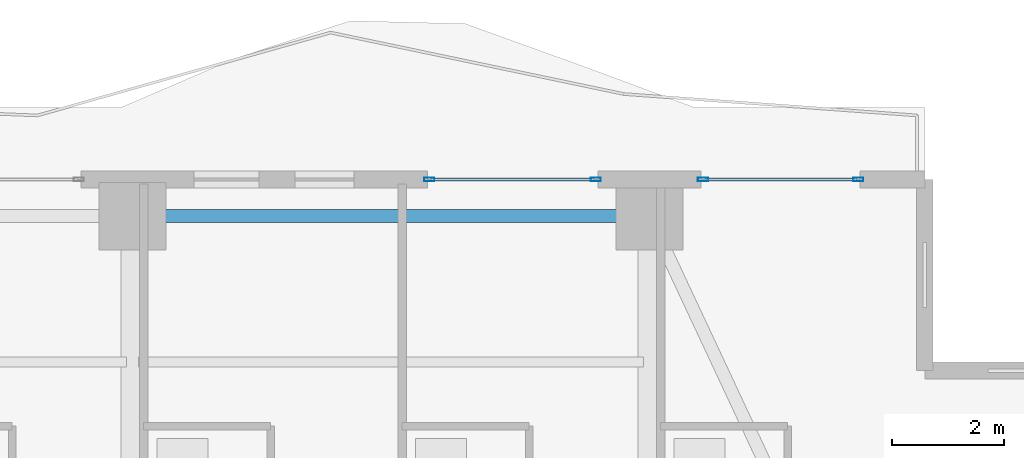
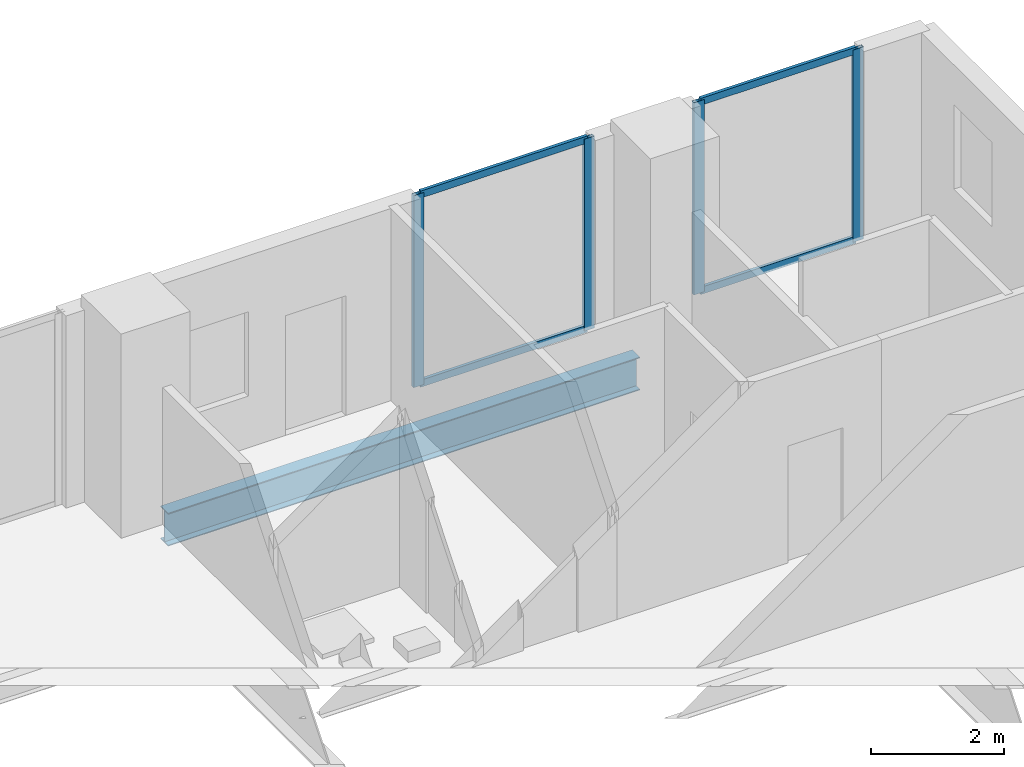
# One storey, part 22 of 33: 8 members, 1 beam, 2 elements without a shape of their own.
"""IFC4 building model written with IfcOpenShell, lengths in metres."""

from ifc_helpers import new_model, si_unit, direction, frame, origin, origin_2d, place, context, subcontext, project, spatial, hollow_rectangle, i_section, extrude, material, layer, layer_set, material_profile, profile_set, type_object, element, aggregate, save


model = new_model("IFC4")

# Units and contexts
model_context = context("Model", 3, precision=1e-05, world=origin(), true_north=direction((0.0, 1.0)))
body_context = subcontext(model_context, "Body", "Model", "MODEL_VIEW")
ifc_project = project(units=[si_unit("LENGTHUNIT", "METRE"), si_unit("AREAUNIT", "SQUARE_METRE"), si_unit("VOLUMEUNIT", "CUBIC_METRE"), si_unit("PLANEANGLEUNIT", "RADIAN"), si_unit("MASSUNIT", "GRAM", prefix="KILO")], contexts=[model_context])

# Site, building, storey
site_placement = place(None, origin())
site = spatial("IfcSite", under=ifc_project, at=site_placement, CompositionType="ELEMENT")
building_placement = place(site_placement, origin())
building = spatial("IfcBuilding", under=site, at=building_placement, Name="Zuhayl Quay Hotel", CompositionType="ELEMENT")
storey_placement = place(building_placement, frame((0.0, 0.0, 222.39990234375)))
storey = spatial("IfcBuildingStorey", under=building, at=storey_placement, Name="L56", CompositionType="ELEMENT", Elevation=222.39990234375)

# Beam
ifc_material_1 = material(Name="Steel ASTM A992 Grade 50", Category="steel")
ifc_material_profile_1 = material_profile(ifc_material_1, i_section(OverallWidth=0.22802734375, OverallDepth=0.60693359375, WebThickness=0.01123046875, FlangeThickness=0.017333984375, at=origin_2d()), Name="W24X76")
ifc_profile_set_1 = profile_set([ifc_material_profile_1], Name="Steel ASTM A992 Grade 50")
beam_type = type_object("IfcBeamType", Name="BM_B3_W24X76", PredefinedType="BEAM", material=ifc_profile_set_1)
beam_placement = place(storey_placement, frame((13.300048828125, 32.949951171875, -0.5234375), z_axis=(-1.0, 0.0, 0.0), x_axis=(0.0, -1.0, 0.0)))
element("IfcBeam", 1, at=beam_placement, inside=storey, type_object=beam_type, Name="L56 Floor Beam RG_L56_07", PredefinedType="BEAM", context=body_context, shape_type="SweptSolid", body=[
    extrude(i_section(OverallWidth=0.22802734375, OverallDepth=0.60693359375, WebThickness=0.01123046875, FlangeThickness=0.017333984375, at=origin_2d()), origin(), (0.0, 0.0, 1.0), 8.199951171875),
])

# Curtain wall, members
ifc_material_2 = material(Name="Anodised Aluminium 6063-T6", Category="aluminium")
ifc_layer = layer(ifc_material_2, 0.175048828125, Name="Anodised Aluminium 6063-T6", Category="aluminium")
ifc_layer_set = layer_set([ifc_layer], Name="Anodised Aluminium 6063-T6")
curtain_wall_type = type_object("IfcCurtainWallType", Name="CW_SYS_Z3", PredefinedType="USERDEFINED", material=ifc_layer_set)
curtain_wall_1_placement = place(storey_placement, origin())
curtain_wall_1 = element("IfcCurtainWall", 2, at=curtain_wall_1_placement, inside=storey, type_object=curtain_wall_type, Name="L56 Curtain Wall ENV_L56_N_CW5", ObjectType="UNITISED CURTAIN WALL", PredefinedType="USERDEFINED")
ifc_material_3 = material(Name="Black-anodised aluminium 6063-T6", Category="aluminium")
ifc_material_profile_2 = material_profile(ifc_material_3, hollow_rectangle(XDim=0.06494140625, YDim=0.179931640625, WallThickness=0.00341796875, at=origin_2d()), Name="ALU180X65")
ifc_profile_set_2 = profile_set([ifc_material_profile_2], Name="Black-anodised aluminium 6063-T6")
member_type_1 = type_object("IfcMemberType", Name="MB_CW_MUL_180", PredefinedType="MULLION", material=ifc_profile_set_2)
member_1_placement = place(storey_placement, frame((9.882568359375, 33.60009765625, 0.0), z_axis=(0.0, 0.0, 1.0), x_axis=(0.0, 1.0, 0.0)))
member_1 = element("IfcMember", 3, at=member_1_placement, type_object=member_type_1, Name="CW-Z3 mullion 1", PredefinedType="MULLION", context=body_context, shape_type="SweptSolid", body=[
    extrude(hollow_rectangle(XDim=0.06494140625, YDim=0.179931640625, WallThickness=0.00341796875, at=origin_2d()), origin(), (0.0, 0.0, 1.0), 3.530029296875),
])
member_2_placement = place(storey_placement, frame((12.847412109375, 33.60009765625, 0.0), z_axis=(0.0, 0.0, 1.0), x_axis=(0.0, 1.0, 0.0)))
member_2 = element("IfcMember", 4, at=member_2_placement, type_object=member_type_1, Name="CW-Z3 mullion 2", PredefinedType="MULLION", context=body_context, shape_type="SweptSolid", body=[
    extrude(hollow_rectangle(XDim=0.06494140625, YDim=0.179931640625, WallThickness=0.00341796875, at=origin_2d()), origin(), (0.0, 0.0, 1.0), 3.530029296875),
])

curtain_wall_2_placement = place(storey_placement, origin())
curtain_wall_2 = element("IfcCurtainWall", 5, at=curtain_wall_2_placement, inside=storey, type_object=curtain_wall_type, Name="L56 Curtain Wall ENV_L56_N_CW6", ObjectType="UNITISED CURTAIN WALL", PredefinedType="USERDEFINED")
member_3_placement = place(storey_placement, frame((14.75244140625, 33.60009765625, 0.0), z_axis=(0.0, 0.0, 1.0), x_axis=(0.0, 1.0, 0.0)))
member_3 = element("IfcMember", 6, at=member_3_placement, type_object=member_type_1, Name="CW-Z3 mullion 1", PredefinedType="MULLION", context=body_context, shape_type="SweptSolid", body=[
    extrude(hollow_rectangle(XDim=0.06494140625, YDim=0.179931640625, WallThickness=0.00341796875, at=origin_2d()), origin(), (0.0, 0.0, 1.0), 3.530029296875),
])
member_4_placement = place(storey_placement, frame((17.517578125, 33.60009765625, 0.0), z_axis=(0.0, 0.0, 1.0), x_axis=(0.0, 1.0, 0.0)))
member_4 = element("IfcMember", 7, at=member_4_placement, type_object=member_type_1, Name="CW-Z3 mullion 2", PredefinedType="MULLION", context=body_context, shape_type="SweptSolid", body=[
    extrude(hollow_rectangle(XDim=0.06494140625, YDim=0.179931640625, WallThickness=0.00341796875, at=origin_2d()), origin(), (0.0, 0.0, 1.0), 3.530029296875),
])

# Member
ifc_material_profile_3 = material_profile(ifc_material_3, hollow_rectangle(XDim=0.054931640625, YDim=0.1298828125, WallThickness=0.0029296875, at=origin_2d()), Name="ALU130X55")
ifc_profile_set_3 = profile_set([ifc_material_profile_3], Name="Black-anodised aluminium 6063-T6")
member_type_2 = type_object("IfcMemberType", Name="MB_CW_TRN_130", PredefinedType="USERDEFINED", material=ifc_profile_set_3)
member_5_placement = place(storey_placement, frame((9.9150390625, 33.60009765625, 0.027587890625), z_axis=(1.0, 0.0, 0.0), x_axis=(0.0, 1.0, 0.0)))
member_5 = element("IfcMember", 8, at=member_5_placement, type_object=member_type_2, Name="CW-Z3 transom 1.1", ObjectType="TRANSOM", PredefinedType="USERDEFINED", context=body_context, shape_type="SweptSolid", body=[
    extrude(hollow_rectangle(XDim=0.054931640625, YDim=0.1298828125, WallThickness=0.0029296875, at=origin_2d()), origin(), (0.0, 0.0, 1.0), 2.89990234375),
])

member_6_placement = place(storey_placement, frame((9.9150390625, 33.60009765625, 3.502685546875), z_axis=(1.0, 0.0, 0.0), x_axis=(0.0, 1.0, 0.0)))
member_6 = element("IfcMember", 9, at=member_6_placement, type_object=member_type_2, Name="CW-Z3 transom 1.2", ObjectType="TRANSOM", PredefinedType="USERDEFINED", context=body_context, shape_type="SweptSolid", body=[
    extrude(hollow_rectangle(XDim=0.054931640625, YDim=0.1298828125, WallThickness=0.0029296875, at=origin_2d()), origin(), (0.0, 0.0, 1.0), 2.89990234375),
])

aggregate(curtain_wall_1, [member_1, member_2, member_5, member_6])

member_7_placement = place(storey_placement, frame((14.784912109375, 33.60009765625, 0.027587890625), z_axis=(1.0, 0.0, 0.0), x_axis=(0.0, 1.0, 0.0)))
member_7 = element("IfcMember", 10, at=member_7_placement, type_object=member_type_2, Name="CW-Z3 transom 1.1", ObjectType="TRANSOM", PredefinedType="USERDEFINED", context=body_context, shape_type="SweptSolid", body=[
    extrude(hollow_rectangle(XDim=0.054931640625, YDim=0.1298828125, WallThickness=0.0029296875, at=origin_2d()), origin(), (0.0, 0.0, 1.0), 2.7001953125),
])

member_8_placement = place(storey_placement, frame((14.784912109375, 33.60009765625, 3.502685546875), z_axis=(1.0, 0.0, 0.0), x_axis=(0.0, 1.0, 0.0)))
member_8 = element("IfcMember", 11, at=member_8_placement, type_object=member_type_2, Name="CW-Z3 transom 1.2", ObjectType="TRANSOM", PredefinedType="USERDEFINED", context=body_context, shape_type="SweptSolid", body=[
    extrude(hollow_rectangle(XDim=0.054931640625, YDim=0.1298828125, WallThickness=0.0029296875, at=origin_2d()), origin(), (0.0, 0.0, 1.0), 2.7001953125),
])

aggregate(curtain_wall_2, [member_3, member_4, member_7, member_8])

save(model, "model.ifc")
